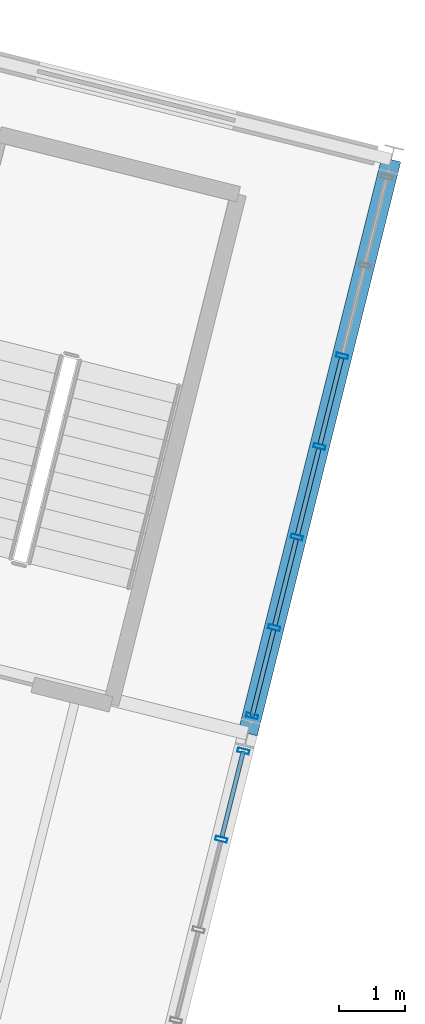
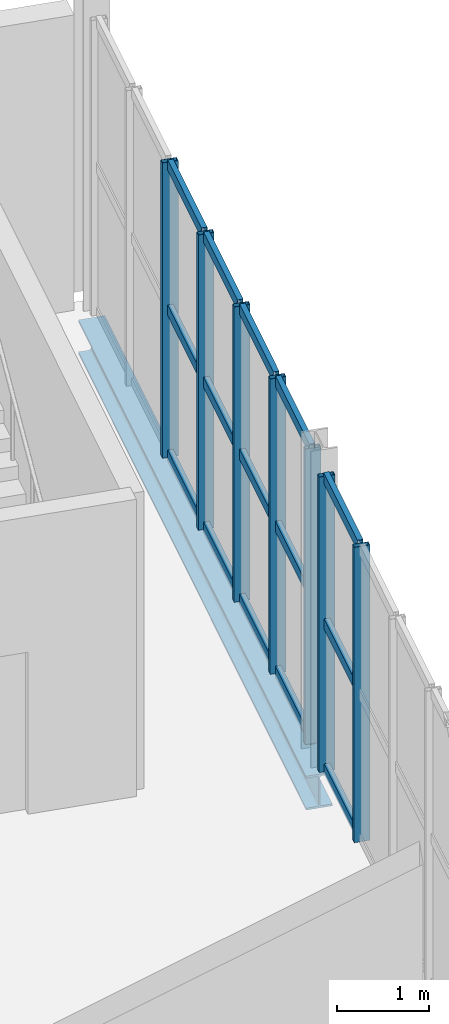
# One storey, part 37 of 61: 22 members, 1 beam, 2 elements without a shape of their own.
"""IFC4 building model written with IfcOpenShell, lengths in metres."""

from ifc_helpers import new_model, si_unit, derived_unit, direction, frame, origin, origin_2d, place, context, subcontext, project, spatial, hollow_rectangle, i_section, extrude, material, material_profile, profile_set, type_object, element, aggregate, save


model = new_model("IFC4")

# Units and contexts
model_context = context("Model", 3, precision=1e-05, world=origin(), true_north=direction((0.0, 1.0)))
body_context = subcontext(model_context, "Body", "Model", "MODEL_VIEW")
ifc_project = project(units=[si_unit("LENGTHUNIT", "METRE"), si_unit("AREAUNIT", "SQUARE_METRE"), si_unit("VOLUMEUNIT", "CUBIC_METRE"), si_unit("PLANEANGLEUNIT", "RADIAN"), si_unit("MASSUNIT", "GRAM", prefix="KILO"), si_unit("THERMODYNAMICTEMPERATUREUNIT", "KELVIN"), si_unit("TIMEUNIT", "SECOND"), derived_unit("THERMALTRANSMITTANCEUNIT", [(si_unit("MASSUNIT", "GRAM", prefix="KILO"), 1), (si_unit("THERMODYNAMICTEMPERATUREUNIT", "KELVIN"), -1), (si_unit("TIMEUNIT", "SECOND"), -3)])], contexts=[model_context])

# Site, building, storey
site_placement = place(None, origin())
site = spatial("IfcSite", under=ifc_project, at=site_placement, CompositionType="ELEMENT")
building_placement = place(site_placement, origin())
building = spatial("IfcBuilding", under=site, at=building_placement, Name="Cambertide Market Hall", CompositionType="ELEMENT")
storey_placement = place(building_placement, frame((0.0, 0.0, 9.89990234375)))
storey = spatial("IfcBuildingStorey", under=building, at=storey_placement, Name="L03", CompositionType="ELEMENT", Elevation=9.89990234375)

# Curtain wall, members
ifc_material_1 = material(Name="Marine Anodized Aluminium 6063-T6 AA25", Category="aluminium")
curtain_wall_type = type_object("IfcCurtainWallType", Name="Cooking School Classroom Curtain Wall", PredefinedType="USERDEFINED", material=ifc_material_1)
curtain_wall_1_placement = place(storey_placement, origin())
curtain_wall_1 = element("IfcCurtainWall", 1, at=curtain_wall_1_placement, inside=storey, type_object=curtain_wall_type, Name="Level 3 Curtain Wall CW-V4E-L03-2", ObjectType="UNITIZED CURTAIN WALL", PredefinedType="USERDEFINED")
ifc_material_2 = material(Name="Champagne Marine Anodized Aluminium 6063-T6 AA25", Category="aluminium")
ifc_material_profile_1 = material_profile(ifc_material_2, hollow_rectangle(XDim=0.06494140625, YDim=0.179931640625, WallThickness=0.00390625, at=origin_2d()), Name="ALU MULLION 65x180")
ifc_profile_set_1 = profile_set([ifc_material_profile_1], Name="Champagne Marine Anodized Aluminium 6063-T6 AA25")
member_type_1 = type_object("IfcMemberType", Name="Curtain Wall Mullion ALU MULLION 65x180", PredefinedType="MULLION", material=ifc_profile_set_1)
member_1_placement = place(storey_placement, frame((174.38818359375, 101.673583984375, 0.0), z_axis=(0.0, 0.0, 1.0), x_axis=(-0.24253568027, -0.970142486337, 0.0)))
member_1 = element("IfcMember", 2, at=member_1_placement, type_object=member_type_1, Name="CW-V4E-L03-2 Mullion 1", PredefinedType="MULLION", context=body_context, shape_type="SweptSolid", body=[
    extrude(hollow_rectangle(XDim=0.06494140625, YDim=0.179931640625, WallThickness=0.00390625, at=origin_2d()), origin(), (0.0, 0.0, 1.0), 3.920166015625),
])
member_2_placement = place(storey_placement, frame((174.05224609375, 100.329833984375, 0.0), z_axis=(0.0, 0.0, 1.0), x_axis=(-0.24253568027, -0.970142486337, 0.0)))
member_2 = element("IfcMember", 3, at=member_2_placement, type_object=member_type_1, Name="CW-V4E-L03-2 Mullion 2", PredefinedType="MULLION", context=body_context, shape_type="SweptSolid", body=[
    extrude(hollow_rectangle(XDim=0.06494140625, YDim=0.179931640625, WallThickness=0.00390625, at=origin_2d()), origin(), (0.0, 0.0, 1.0), 3.920166015625),
])

curtain_wall_2_placement = place(storey_placement, origin())
curtain_wall_2 = element("IfcCurtainWall", 4, at=curtain_wall_2_placement, inside=storey, type_object=curtain_wall_type, Name="Level 3 Curtain Wall CW-V4E-L03-3", ObjectType="UNITIZED CURTAIN WALL", PredefinedType="USERDEFINED")
member_3_placement = place(storey_placement, frame((175.890625, 107.68359375, 0.0), z_axis=(0.0, 0.0, 1.0), x_axis=(-0.242535569805, -0.970142513953, 0.0)))
member_3 = element("IfcMember", 5, at=member_3_placement, type_object=member_type_1, Name="CW-V4E-L03-3 Mullion 3", PredefinedType="MULLION", context=body_context, shape_type="SweptSolid", body=[
    extrude(hollow_rectangle(XDim=0.06494140625, YDim=0.179931640625, WallThickness=0.00390625, at=origin_2d()), origin(), (0.0, 0.0, 1.0), 3.920166015625),
])
member_4_placement = place(storey_placement, frame((175.546142578125, 106.305908203125, 0.0), z_axis=(0.0, 0.0, 1.0), x_axis=(-0.242535569805, -0.970142513953, 0.0)))
member_4 = element("IfcMember", 6, at=member_4_placement, type_object=member_type_1, Name="CW-V4E-L03-3 Mullion 4", PredefinedType="MULLION", context=body_context, shape_type="SweptSolid", body=[
    extrude(hollow_rectangle(XDim=0.06494140625, YDim=0.179931640625, WallThickness=0.00390625, at=origin_2d()), origin(), (0.0, 0.0, 1.0), 3.920166015625),
])
member_5_placement = place(storey_placement, frame((175.20166015625, 104.92822265625, 0.0), z_axis=(0.0, 0.0, 1.0), x_axis=(-0.242535569805, -0.970142513953, 0.0)))
member_5 = element("IfcMember", 7, at=member_5_placement, type_object=member_type_1, Name="CW-V4E-L03-3 Mullion 5", PredefinedType="MULLION", context=body_context, shape_type="SweptSolid", body=[
    extrude(hollow_rectangle(XDim=0.06494140625, YDim=0.179931640625, WallThickness=0.00390625, at=origin_2d()), origin(), (0.0, 0.0, 1.0), 3.920166015625),
])
member_6_placement = place(storey_placement, frame((174.857421875, 103.55078125, 0.0), z_axis=(0.0, 0.0, 1.0), x_axis=(-0.242535569805, -0.970142513953, 0.0)))
member_6 = element("IfcMember", 8, at=member_6_placement, type_object=member_type_1, Name="CW-V4E-L03-3 Mullion 6", PredefinedType="MULLION", context=body_context, shape_type="SweptSolid", body=[
    extrude(hollow_rectangle(XDim=0.06494140625, YDim=0.179931640625, WallThickness=0.00390625, at=origin_2d()), origin(), (0.0, 0.0, 1.0), 3.920166015625),
])
member_7_placement = place(storey_placement, frame((174.521484375, 102.20703125, 0.0), z_axis=(0.0, 0.0, 1.0), x_axis=(-0.242535569805, -0.970142513953, 0.0)))
member_7 = element("IfcMember", 9, at=member_7_placement, type_object=member_type_1, Name="CW-V4E-L03-3 Mullion 7", PredefinedType="MULLION", context=body_context, shape_type="SweptSolid", body=[
    extrude(hollow_rectangle(XDim=0.06494140625, YDim=0.179931640625, WallThickness=0.00390625, at=origin_2d()), origin(), (0.0, 0.0, 1.0), 3.920166015625),
])

# Member
ifc_material_3 = material(Name="Champagne Marine Anodized Aluminium 6063-T6 AA25", Category="aluminium")
ifc_material_profile_2 = material_profile(ifc_material_3, hollow_rectangle(XDim=0.06494140625, YDim=0.139892578125, WallThickness=0.00341796875, at=origin_2d()), Name="ALU TRANSOM 65x140")
ifc_profile_set_2 = profile_set([ifc_material_profile_2], Name="Champagne Marine Anodized Aluminium 6063-T6 AA25")
member_type_2 = type_object("IfcMemberType", Name="Curtain Wall Transom ALU TRANSOM 65x140", PredefinedType="USERDEFINED", material=ifc_profile_set_2)
member_8_placement = place(storey_placement, frame((174.386962890625, 101.668701171875, 0.03515625), z_axis=(-0.242664220797, -0.970110342149, 0.0), x_axis=(0.970110342149, -0.242664220797, 0.0)))
member_8 = element("IfcMember", 10, at=member_8_placement, type_object=member_type_2, Name="CW-V4E-L03-2 Transom 1-1", ObjectType="TRANSOM", PredefinedType="USERDEFINED", context=body_context, shape_type="SweptSolid", body=[
    extrude(hollow_rectangle(XDim=0.06494140625, YDim=0.139892578125, WallThickness=0.00341796875, at=origin_2d()), origin(), (0.0, 0.0, 1.0), 1.340087890625),
])

member_9_placement = place(storey_placement, frame((174.386962890625, 101.668701171875, 1.960205078125), z_axis=(-0.242664220797, -0.970110342149, 0.0), x_axis=(0.970110342149, -0.242664220797, 0.0)))
member_9 = element("IfcMember", 11, at=member_9_placement, type_object=member_type_2, Name="CW-V4E-L03-2 Transom 2-1", ObjectType="TRANSOM", PredefinedType="USERDEFINED", context=body_context, shape_type="SweptSolid", body=[
    extrude(hollow_rectangle(XDim=0.06494140625, YDim=0.139892578125, WallThickness=0.00341796875, at=origin_2d()), origin(), (0.0, 0.0, 1.0), 1.340087890625),
])

member_10_placement = place(storey_placement, frame((174.386962890625, 101.668701171875, 3.885009765625), z_axis=(-0.242664220797, -0.970110342149, 0.0), x_axis=(0.970110342149, -0.242664220797, 0.0)))
member_10 = element("IfcMember", 12, at=member_10_placement, type_object=member_type_2, Name="CW-V4E-L03-2 Transom 3-1", ObjectType="TRANSOM", PredefinedType="USERDEFINED", context=body_context, shape_type="SweptSolid", body=[
    extrude(hollow_rectangle(XDim=0.06494140625, YDim=0.139892578125, WallThickness=0.00341796875, at=origin_2d()), origin(), (0.0, 0.0, 1.0), 1.340087890625),
])

aggregate(curtain_wall_1, [member_1, member_2, member_8, member_9, member_10])

member_11_placement = place(storey_placement, frame((175.880859375, 107.644775390625, 0.03515625), z_axis=(-0.242492756941, -0.970153216163, 0.0), x_axis=(0.970153216163, -0.242492756941, 0.0)))
member_11 = element("IfcMember", 13, at=member_11_placement, type_object=member_type_2, Name="CW-V4E-L03-3 Transom 1-3", ObjectType="TRANSOM", PredefinedType="USERDEFINED", context=body_context, shape_type="SweptSolid", body=[
    extrude(hollow_rectangle(XDim=0.06494140625, YDim=0.139892578125, WallThickness=0.00341796875, at=origin_2d()), origin(), (0.0, 0.0, 1.0), 1.340087890625),
])

member_12_placement = place(storey_placement, frame((175.536376953125, 106.26708984375, 0.03515625), z_axis=(-0.242492756941, -0.970153216163, 0.0), x_axis=(0.970153216163, -0.242492756941, 0.0)))
member_12 = element("IfcMember", 14, at=member_12_placement, type_object=member_type_2, Name="CW-V4E-L03-3 Transom 1-4", ObjectType="TRANSOM", PredefinedType="USERDEFINED", context=body_context, shape_type="SweptSolid", body=[
    extrude(hollow_rectangle(XDim=0.06494140625, YDim=0.139892578125, WallThickness=0.00341796875, at=origin_2d()), origin(), (0.0, 0.0, 1.0), 1.340087890625),
])

member_13_placement = place(storey_placement, frame((175.192138671875, 104.889404296875, 0.03515625), z_axis=(-0.242535625036, -0.970142500145, 0.0), x_axis=(0.970142500145, -0.242535625036, 0.0)))
member_13 = element("IfcMember", 15, at=member_13_placement, type_object=member_type_2, Name="CW-V4E-L03-3 Transom 1-5", ObjectType="TRANSOM", PredefinedType="USERDEFINED", context=body_context, shape_type="SweptSolid", body=[
    extrude(hollow_rectangle(XDim=0.06494140625, YDim=0.139892578125, WallThickness=0.00341796875, at=origin_2d()), origin(), (0.0, 0.0, 1.0), 1.33984375),
])

member_14_placement = place(storey_placement, frame((174.84765625, 103.511962890625, 0.03515625), z_axis=(-0.242492756941, -0.970153216163, 0.0), x_axis=(0.970153216163, -0.242492756941, 0.0)))
member_14 = element("IfcMember", 16, at=member_14_placement, type_object=member_type_2, Name="CW-V4E-L03-3 Transom 1-6", ObjectType="TRANSOM", PredefinedType="USERDEFINED", context=body_context, shape_type="SweptSolid", body=[
    extrude(hollow_rectangle(XDim=0.06494140625, YDim=0.139892578125, WallThickness=0.00341796875, at=origin_2d()), origin(), (0.0, 0.0, 1.0), 1.340087890625),
])

member_15_placement = place(storey_placement, frame((175.880859375, 107.644775390625, 1.960205078125), z_axis=(-0.242492756941, -0.970153216163, 0.0), x_axis=(0.970153216163, -0.242492756941, 0.0)))
member_15 = element("IfcMember", 17, at=member_15_placement, type_object=member_type_2, Name="CW-V4E-L03-3 Transom 2-3", ObjectType="TRANSOM", PredefinedType="USERDEFINED", context=body_context, shape_type="SweptSolid", body=[
    extrude(hollow_rectangle(XDim=0.06494140625, YDim=0.139892578125, WallThickness=0.00341796875, at=origin_2d()), origin(), (0.0, 0.0, 1.0), 1.340087890625),
])

member_16_placement = place(storey_placement, frame((175.536376953125, 106.26708984375, 1.960205078125), z_axis=(-0.242492756941, -0.970153216163, 0.0), x_axis=(0.970153216163, -0.242492756941, 0.0)))
member_16 = element("IfcMember", 18, at=member_16_placement, type_object=member_type_2, Name="CW-V4E-L03-3 Transom 2-4", ObjectType="TRANSOM", PredefinedType="USERDEFINED", context=body_context, shape_type="SweptSolid", body=[
    extrude(hollow_rectangle(XDim=0.06494140625, YDim=0.139892578125, WallThickness=0.00341796875, at=origin_2d()), origin(), (0.0, 0.0, 1.0), 1.340087890625),
])

member_17_placement = place(storey_placement, frame((175.192138671875, 104.889404296875, 1.960205078125), z_axis=(-0.242535625036, -0.970142500145, 0.0), x_axis=(0.970142500145, -0.242535625036, 0.0)))
member_17 = element("IfcMember", 19, at=member_17_placement, type_object=member_type_2, Name="CW-V4E-L03-3 Transom 2-5", ObjectType="TRANSOM", PredefinedType="USERDEFINED", context=body_context, shape_type="SweptSolid", body=[
    extrude(hollow_rectangle(XDim=0.06494140625, YDim=0.139892578125, WallThickness=0.00341796875, at=origin_2d()), origin(), (0.0, 0.0, 1.0), 1.33984375),
])

member_18_placement = place(storey_placement, frame((174.84765625, 103.511962890625, 1.960205078125), z_axis=(-0.242492756941, -0.970153216163, 0.0), x_axis=(0.970153216163, -0.242492756941, 0.0)))
member_18 = element("IfcMember", 20, at=member_18_placement, type_object=member_type_2, Name="CW-V4E-L03-3 Transom 2-6", ObjectType="TRANSOM", PredefinedType="USERDEFINED", context=body_context, shape_type="SweptSolid", body=[
    extrude(hollow_rectangle(XDim=0.06494140625, YDim=0.139892578125, WallThickness=0.00341796875, at=origin_2d()), origin(), (0.0, 0.0, 1.0), 1.340087890625),
])

member_19_placement = place(storey_placement, frame((175.880859375, 107.644775390625, 3.885009765625), z_axis=(-0.242492756941, -0.970153216163, 0.0), x_axis=(0.970153216163, -0.242492756941, 0.0)))
member_19 = element("IfcMember", 21, at=member_19_placement, type_object=member_type_2, Name="CW-V4E-L03-3 Transom 3-3", ObjectType="TRANSOM", PredefinedType="USERDEFINED", context=body_context, shape_type="SweptSolid", body=[
    extrude(hollow_rectangle(XDim=0.06494140625, YDim=0.139892578125, WallThickness=0.00341796875, at=origin_2d()), origin(), (0.0, 0.0, 1.0), 1.340087890625),
])

member_20_placement = place(storey_placement, frame((175.536376953125, 106.26708984375, 3.885009765625), z_axis=(-0.242492756941, -0.970153216163, 0.0), x_axis=(0.970153216163, -0.242492756941, 0.0)))
member_20 = element("IfcMember", 22, at=member_20_placement, type_object=member_type_2, Name="CW-V4E-L03-3 Transom 3-4", ObjectType="TRANSOM", PredefinedType="USERDEFINED", context=body_context, shape_type="SweptSolid", body=[
    extrude(hollow_rectangle(XDim=0.06494140625, YDim=0.139892578125, WallThickness=0.00341796875, at=origin_2d()), origin(), (0.0, 0.0, 1.0), 1.340087890625),
])

member_21_placement = place(storey_placement, frame((175.192138671875, 104.889404296875, 3.885009765625), z_axis=(-0.242535625036, -0.970142500145, 0.0), x_axis=(0.970142500145, -0.242535625036, 0.0)))
member_21 = element("IfcMember", 23, at=member_21_placement, type_object=member_type_2, Name="CW-V4E-L03-3 Transom 3-5", ObjectType="TRANSOM", PredefinedType="USERDEFINED", context=body_context, shape_type="SweptSolid", body=[
    extrude(hollow_rectangle(XDim=0.06494140625, YDim=0.139892578125, WallThickness=0.00341796875, at=origin_2d()), origin(), (0.0, 0.0, 1.0), 1.33984375),
])

member_22_placement = place(storey_placement, frame((174.84765625, 103.511962890625, 3.885009765625), z_axis=(-0.242492756941, -0.970153216163, 0.0), x_axis=(0.970153216163, -0.242492756941, 0.0)))
member_22 = element("IfcMember", 24, at=member_22_placement, type_object=member_type_2, Name="CW-V4E-L03-3 Transom 3-6", ObjectType="TRANSOM", PredefinedType="USERDEFINED", context=body_context, shape_type="SweptSolid", body=[
    extrude(hollow_rectangle(XDim=0.06494140625, YDim=0.139892578125, WallThickness=0.00341796875, at=origin_2d()), origin(), (0.0, 0.0, 1.0), 1.340087890625),
])

aggregate(curtain_wall_2, [member_3, member_4, member_5, member_6, member_7, member_11, member_12, member_13, member_14, member_15, member_16, member_17, member_18, member_19, member_20, member_21, member_22])

# Beam
ifc_material_4 = material(Name="Steel S355", Category="steel")
ifc_material_profile_3 = material_profile(ifc_material_4, i_section(OverallWidth=0.300048828125, OverallDepth=0.449951171875, WebThickness=0.013916015625, FlangeThickness=0.02587890625, FilletRadius=0.027099609375, at=origin_2d()), Name="HEB 450")
ifc_profile_set_3 = profile_set([ifc_material_profile_3], Name="Steel S355")
beam_type = type_object("IfcBeamType", Name="Steel Girder HEB 450", PredefinedType="BEAM", material=ifc_profile_set_3)
beam_placement = place(storey_placement, frame((174.454833984375, 101.940185546875, -0.469970703125), z_axis=(0.242535625036, 0.970142500145, 0.0), x_axis=(-0.970142500145, 0.242535625036, 0.0)))
element("IfcBeam", 25, at=beam_placement, inside=storey, type_object=beam_type, Name="Level 3 Beam BM-V4V-L03-9-3", PredefinedType="BEAM", context=body_context, shape_type="SweptSolid", body=[
    extrude(i_section(OverallWidth=0.300048828125, OverallDepth=0.449951171875, WebThickness=0.013916015625, FlangeThickness=0.02587890625, FilletRadius=0.027099609375, at=origin_2d()), origin(), (0.0, 0.0, 1.0), 9.000244140625),
])

save(model, "model.ifc")
